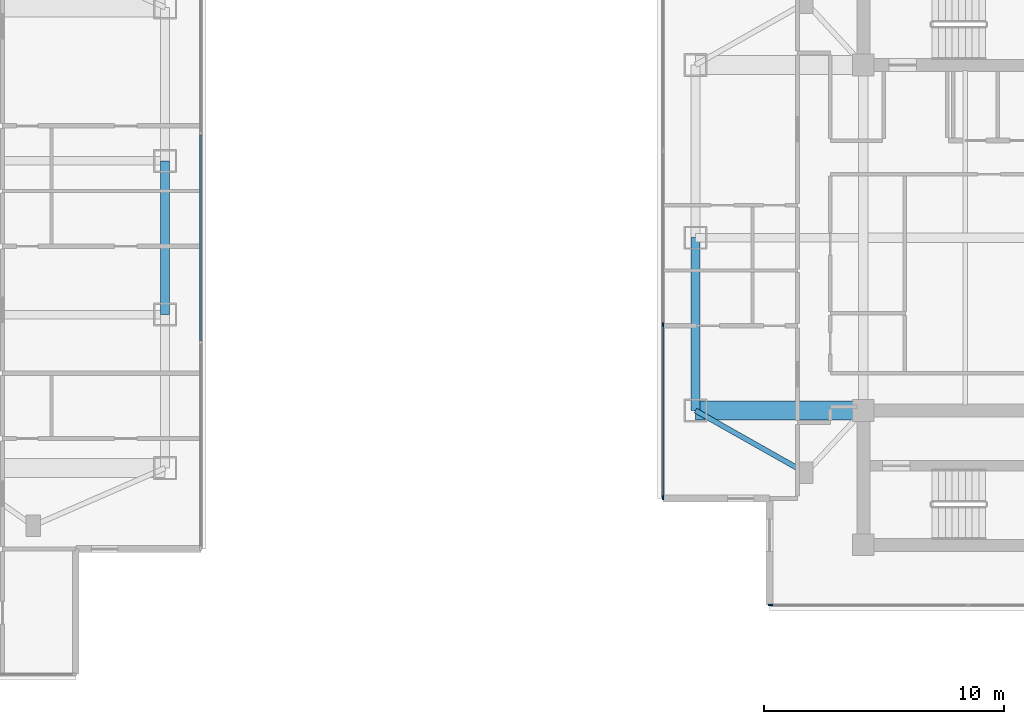
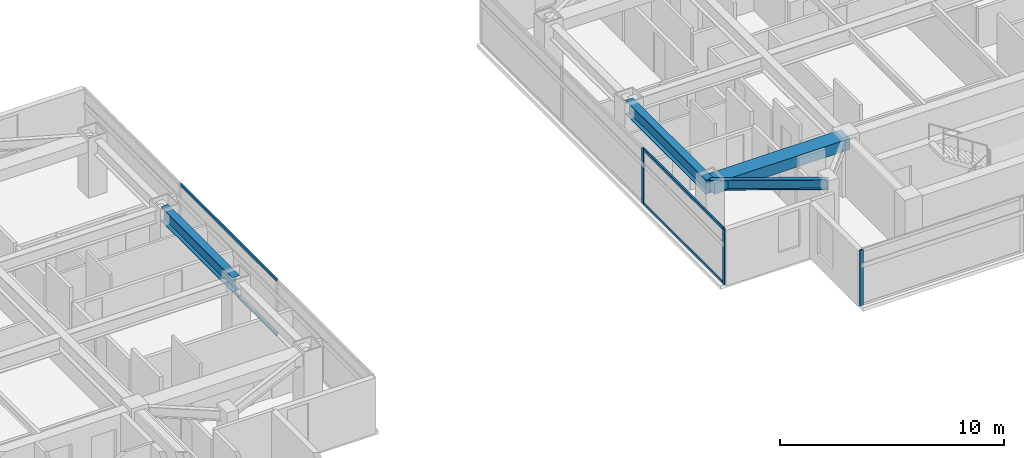
# One storey, part 5 of 24: 7 members, 4 beams, 3 elements without a shape of their own.
"""IFC4 building model written with IfcOpenShell, lengths in metres."""

from ifc_helpers import new_model, si_unit, direction, frame, origin, origin_2d, place, context, subcontext, project, spatial, rectangle, i_section, extrude, material, material_profile, profile_set, type_object, element, aggregate, save


model = new_model("IFC4")

# Units and contexts
model_context = context("Model", 3, precision=1e-05, world=origin(), true_north=direction((0.0, 1.0)))
body_context = subcontext(model_context, "Body", "Model", "MODEL_VIEW")
ifc_project = project(units=[si_unit("LENGTHUNIT", "METRE"), si_unit("AREAUNIT", "SQUARE_METRE"), si_unit("VOLUMEUNIT", "CUBIC_METRE"), si_unit("PLANEANGLEUNIT", "RADIAN"), si_unit("MASSUNIT", "GRAM", prefix="KILO")], contexts=[model_context])

# Site, building, storey
site_placement = place(None, origin())
site = spatial("IfcSite", under=ifc_project, at=site_placement, CompositionType="ELEMENT")
building_placement = place(site_placement, origin())
building = spatial("IfcBuilding", under=site, at=building_placement, Name="Mirazonda Arch Towers", CompositionType="ELEMENT")
storey_placement = place(building_placement, frame((0.0, 0.0, 190.14990234375)))
storey = spatial("IfcBuildingStorey", under=building, at=storey_placement, Name="L54", CompositionType="ELEMENT", Elevation=190.14990234375)

# Beams
ifc_material_1 = material(Name="Steel ASTM A992 Grade 50", Category="steel")
ifc_material_profile_1 = material_profile(ifc_material_1, i_section(OverallWidth=0.381103515625, OverallDepth=0.77294921875, WebThickness=0.0166015625, FlangeThickness=0.027099609375, at=origin_2d()), Name="W30X173")
ifc_profile_set_1 = profile_set([ifc_material_profile_1], Name="Steel ASTM A992 Grade 50")
beam_type_1 = type_object("IfcBeamType", Name="BM-EXT-W30X173", PredefinedType="USERDEFINED", material=ifc_profile_set_1)
beam_1_placement = place(storey_placement, frame((38.89990234375, 24.800048828125, 2.66357421875), z_axis=(0.0, 1.0, 0.0), x_axis=(-1.0, 0.0, 0.0)))
element("IfcBeam", 1, at=beam_1_placement, inside=storey, type_object=beam_type_1, Name="L54 Floor Beam BM-T1-L54-NS-E-24", ObjectType="GIRDER", PredefinedType="USERDEFINED", context=body_context, shape_type="SweptSolid", body=[
    extrude(i_section(OverallWidth=0.381103515625, OverallDepth=0.77294921875, WebThickness=0.0166015625, FlangeThickness=0.027099609375, at=origin_2d()), origin(), (0.0, 0.0, 1.0), 6.39990234375),
])
beam_2_placement = place(storey_placement, frame((61.0, 20.800048828125, 2.66357421875), z_axis=(0.0, 1.0, 0.0), x_axis=(-1.0, 0.0, 0.0)))
element("IfcBeam", 2, at=beam_2_placement, inside=storey, type_object=beam_type_1, Name="L54 Floor Beam BM-T2-L54-NS-W-20", ObjectType="GIRDER", PredefinedType="USERDEFINED", context=body_context, shape_type="SweptSolid", body=[
    extrude(i_section(OverallWidth=0.381103515625, OverallDepth=0.77294921875, WebThickness=0.0166015625, FlangeThickness=0.027099609375, at=origin_2d()), origin(), (0.0, 0.0, 1.0), 7.199951171875),
])
ifc_material_profile_2 = material_profile(ifc_material_1, i_section(OverallWidth=0.214111328125, OverallDepth=0.549072265625, WebThickness=0.0146484375, FlangeThickness=0.023681640625, at=origin_2d()), Name="W21X93")
ifc_profile_set_2 = profile_set([ifc_material_profile_2], Name="Steel ASTM A992 Grade 50")
beam_type_2 = type_object("IfcBeamType", Name="BM-INT-W21X93", PredefinedType="BEAM", material=ifc_profile_set_2)
beam_3_placement = place(storey_placement, frame((65.60009765625, 18.199951171875, 2.775634765625), z_axis=(-0.870559396632, 0.492063346467, 0.0), x_axis=(-0.492063346467, -0.870559396632, 0.0)))
element("IfcBeam", 3, at=beam_3_placement, inside=storey, type_object=beam_type_2, Name="L54 Floor Beam BM-T2-L54-PL-SW2", PredefinedType="BEAM", context=body_context, shape_type="SweptSolid", body=[
    extrude(i_section(OverallWidth=0.214111328125, OverallDepth=0.549072265625, WebThickness=0.0146484375, FlangeThickness=0.023681640625, at=origin_2d()), origin(), (0.0, 0.0, 1.0), 5.2841796875),
])
ifc_material_2 = material(Name="Concrete C60/75", Category="concrete")
ifc_material_profile_3 = material_profile(ifc_material_2, rectangle(XDim=0.800048828125, YDim=0.60009765625, at=origin_2d()), Name="RCCB800x600")
ifc_profile_set_3 = profile_set([ifc_material_profile_3], Name="Concrete C60/75")
beam_type_3 = type_object("IfcBeamType", Name="CB-INT-RCCB800x600", PredefinedType="SPANDREL", material=ifc_profile_set_3)
beam_4_placement = place(storey_placement, frame((61.0, 20.800048828125, 2.75), z_axis=(1.0, 0.0, 0.0), x_axis=(0.0, 1.0, 0.0)))
element("IfcBeam", 4, at=beam_4_placement, inside=storey, type_object=beam_type_3, Name="L54 Floor Beam CBC-T2-L54-SW", PredefinedType="SPANDREL", context=body_context, shape_type="SweptSolid", body=[
    extrude(rectangle(XDim=0.800048828125, YDim=0.60009765625, at=origin_2d()), origin(), (0.0, 0.0, 1.0), 7.0),
])

# Curtain wall, member
ifc_material_3 = material(Name="Anodised Aluminium and Low-E Glass", Category="aluminium")
curtain_wall_type = type_object("IfcCurtainWallType", Name="CW-RES-UNIT", PredefinedType="NOTDEFINED", material=ifc_material_3)
curtain_wall_1_placement = place(storey_placement, origin())
curtain_wall_1 = element("IfcCurtainWall", 5, at=curtain_wall_1_placement, inside=storey, type_object=curtain_wall_type, Name="L54 T2 S Facade CW-L54-T2-S", PredefinedType="NOTDEFINED")
ifc_material_4 = material(Name="Anodised Aluminium Alloy", Category="aluminium")
ifc_material_profile_4 = material_profile(ifc_material_4, rectangle(XDim=0.074951171875, YDim=0.175048828125, at=origin_2d()), Name="ALU-MULL-75x175")
ifc_profile_set_4 = profile_set([ifc_material_profile_4], Name="Anodised Aluminium Alloy")
member_type_1 = type_object("IfcMemberType", Name="MULL-CW-RES-UNIT", PredefinedType="MULLION", material=ifc_profile_set_4)
member_1_placement = place(storey_placement, frame((64.123779296875, 12.69482421875, 0.0), z_axis=(0.0, 0.0, 1.0), x_axis=(0.0, -1.0, 0.0)))
member_1 = element("IfcMember", 6, at=member_1_placement, type_object=member_type_1, Name="CW-104 mullion 4", PredefinedType="MULLION", context=body_context, shape_type="SweptSolid", body=[
    extrude(rectangle(XDim=0.074951171875, YDim=0.175048828125, at=origin_2d()), origin(), (0.0, 0.0, 1.0), 3.030029296875),
])
aggregate(curtain_wall_1, [member_1])

# Curtain wall, members
curtain_wall_2_placement = place(storey_placement, origin())
curtain_wall_2 = element("IfcCurtainWall", 7, at=curtain_wall_2_placement, inside=storey, type_object=curtain_wall_type, Name="L54 T2 W Facade CW-L54-T2-W", PredefinedType="NOTDEFINED")
member_2_placement = place(storey_placement, frame((59.646484375, 24.378173828125, 0.0), z_axis=(0.0, 0.0, 1.0), x_axis=(1.0, 0.0, 0.0)))
member_2 = element("IfcMember", 8, at=member_2_placement, type_object=member_type_1, Name="CW-104 mullion 3", PredefinedType="MULLION", context=body_context, shape_type="SweptSolid", body=[
    extrude(rectangle(XDim=0.074951171875, YDim=0.175048828125, at=origin_2d()), origin(), (0.0, 0.0, 1.0), 3.030029296875),
])
member_3_placement = place(storey_placement, frame((59.646484375, 17.172119140625, 0.0), z_axis=(0.0, 0.0, 1.0), x_axis=(1.0, 0.0, 0.0)))
member_3 = element("IfcMember", 9, at=member_3_placement, type_object=member_type_1, Name="CW-104 mullion 4", PredefinedType="MULLION", context=body_context, shape_type="SweptSolid", body=[
    extrude(rectangle(XDim=0.074951171875, YDim=0.175048828125, at=origin_2d()), origin(), (0.0, 0.0, 1.0), 3.030029296875),
])

curtain_wall_3_placement = place(storey_placement, origin())
curtain_wall_3 = element("IfcCurtainWall", 10, at=curtain_wall_3_placement, inside=storey, type_object=curtain_wall_type, Name="L54 T1 E Facade CW-L54-T1-E", PredefinedType="NOTDEFINED")
ifc_material_profile_5 = material_profile(ifc_material_4, rectangle(XDim=0.074951171875, YDim=0.155029296875, at=origin_2d()), Name="ALU-TRAN-75x155")
ifc_profile_set_5 = profile_set([ifc_material_profile_5], Name="Anodised Aluminium Alloy")
member_type_2 = type_object("IfcMemberType", Name="TRAN-CW-RES-UNIT", PredefinedType="USERDEFINED", material=ifc_profile_set_5)
member_4_placement = place(storey_placement, frame((40.389892578125, 23.7138671875, 0.03759765625), z_axis=(0.0, 1.0, 0.0), x_axis=(-1.0, 0.0, 0.0)))
member_4 = element("IfcMember", 11, at=member_4_placement, type_object=member_type_2, Name="CW-104 transom 2.1", ObjectType="TRANSOM", PredefinedType="USERDEFINED", context=body_context, shape_type="SweptSolid", body=[
    extrude(rectangle(XDim=0.074951171875, YDim=0.155029296875, at=origin_2d()), origin(), (0.0, 0.0, 1.0), 8.572265625),
])
member_5_placement = place(storey_placement, frame((40.389892578125, 23.7138671875, 2.99267578125), z_axis=(0.0, 1.0, 0.0), x_axis=(-1.0, 0.0, 0.0)))
member_5 = element("IfcMember", 12, at=member_5_placement, type_object=member_type_2, Name="CW-104 transom 2.2", ObjectType="TRANSOM", PredefinedType="USERDEFINED", context=body_context, shape_type="SweptSolid", body=[
    extrude(rectangle(XDim=0.074951171875, YDim=0.155029296875, at=origin_2d()), origin(), (0.0, 0.0, 1.0), 8.572265625),
])
aggregate(curtain_wall_3, [member_4, member_5])

# Member
member_6_placement = place(storey_placement, frame((59.646484375, 24.3408203125, 0.03759765625), z_axis=(0.0, -1.0, 0.0), x_axis=(1.0, 0.0, 0.0)))
member_6 = element("IfcMember", 13, at=member_6_placement, type_object=member_type_2, Name="CW-104 transom 3.1", ObjectType="TRANSOM", PredefinedType="USERDEFINED", context=body_context, shape_type="SweptSolid", body=[
    extrude(rectangle(XDim=0.074951171875, YDim=0.155029296875, at=origin_2d()), origin(), (0.0, 0.0, 1.0), 7.131103515625),
])

member_7_placement = place(storey_placement, frame((59.646484375, 24.3408203125, 2.99267578125), z_axis=(0.0, -1.0, 0.0), x_axis=(1.0, 0.0, 0.0)))
member_7 = element("IfcMember", 14, at=member_7_placement, type_object=member_type_2, Name="CW-104 transom 3.2", ObjectType="TRANSOM", PredefinedType="USERDEFINED", context=body_context, shape_type="SweptSolid", body=[
    extrude(rectangle(XDim=0.074951171875, YDim=0.155029296875, at=origin_2d()), origin(), (0.0, 0.0, 1.0), 7.131103515625),
])

aggregate(curtain_wall_2, [member_2, member_3, member_6, member_7])

save(model, "model.ifc")
